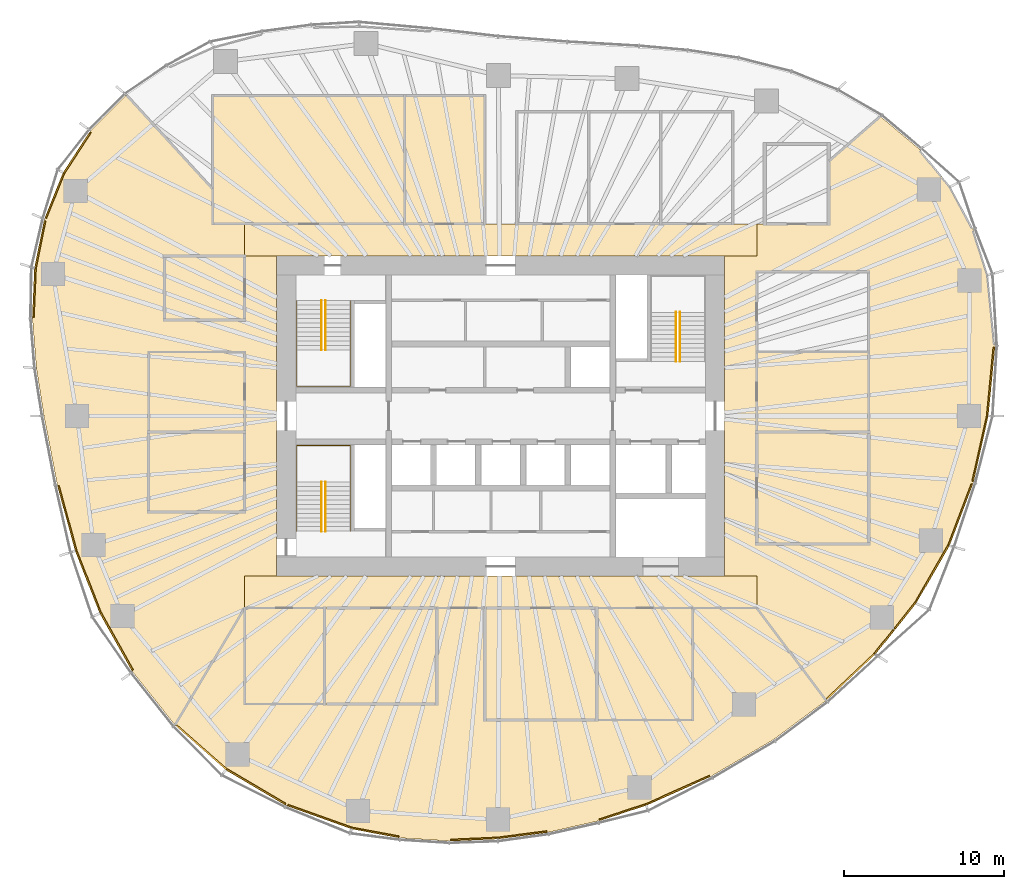
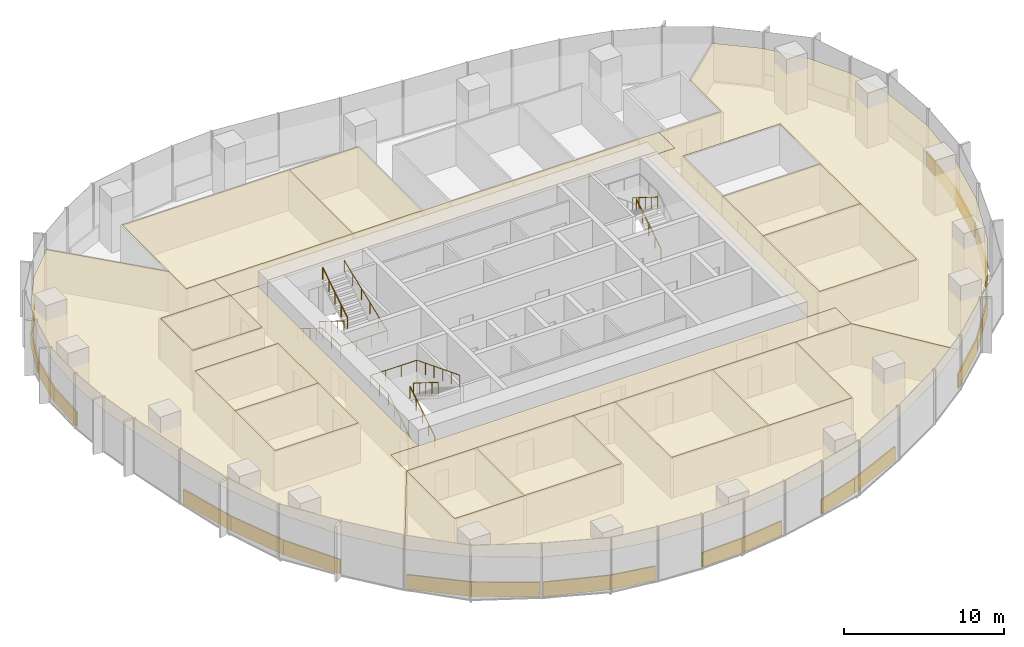
# One storey, part 17 of 18: 38 coverings, 8 railings.
"""IFC4 building model written with IfcOpenShell, lengths in metres."""

from ifc_helpers import new_model, si_unit, direction, frame, origin, origin_2d, place, context, subcontext, project, spatial, polyline, rectangle, circle, outline, extrude, material, layer, layer_set, type_object, element, save


model = new_model("IFC4")

# Units and contexts
model_context = context("Model", 3, precision=1e-05, world=origin(), true_north=direction((0.0, 1.0)))
body_context = subcontext(model_context, "Body", "Model", "MODEL_VIEW")
ifc_project = project(units=[si_unit("LENGTHUNIT", "METRE"), si_unit("AREAUNIT", "SQUARE_METRE"), si_unit("VOLUMEUNIT", "CUBIC_METRE"), si_unit("PLANEANGLEUNIT", "RADIAN"), si_unit("MASSUNIT", "GRAM", prefix="KILO")], contexts=[model_context])

# Site, building, storey
site_placement = place(None, origin())
site = spatial("IfcSite", under=ifc_project, at=site_placement, CompositionType="ELEMENT")
building_placement = place(site_placement, origin())
building = spatial("IfcBuilding", under=site, at=building_placement, Name="Ghaith Harvest Tower", CompositionType="ELEMENT")
storey_placement = place(building_placement, frame((0.0, 0.0, 121.800048828125)))
storey = spatial("IfcBuildingStorey", under=building, at=storey_placement, Name="L25", CompositionType="ELEMENT", Elevation=121.800048828125)

# Coverings
ifc_material_1 = material(Name="Mineral fibre ceiling tile", Category="gypsum")
ifc_layer_1 = layer(ifc_material_1, 0.02001953125)
ifc_layer_set_1 = layer_set([ifc_layer_1], Name="CEILING C1")
covering_type_1 = type_object("IfcCoveringType", Name="CEILING C1", PredefinedType="CEILING", material=ifc_layer_set_1)
covering_1_placement = place(storey_placement, frame((0.0, 0.0, 3.0)))
element("IfcCovering", 1, at=covering_1_placement, inside=storey, type_object=covering_type_1, Name="Ceiling L25-01", PredefinedType="CEILING", context=body_context, shape_type="SweptSolid", body=[
    extrude(outline(polyline([(-18.0, 12.0), (-6.0, 12.0), (-6.0, 20.0), (-18.0, 20.0), (-18.0, 12.0)])), origin(), (0.0, 0.0, 1.0), 0.02001953125),
])
covering_2_placement = place(storey_placement, frame((0.0, 0.0, 3.0)))
element("IfcCovering", 2, at=covering_2_placement, inside=storey, type_object=covering_type_1, Name="Ceiling L25-02", PredefinedType="CEILING", context=body_context, shape_type="SweptSolid", body=[
    extrude(outline(polyline([(-6.0, 12.0), (-1.0, 12.0), (-1.0, 20.0), (-6.0, 20.0), (-6.0, 12.0)])), origin(), (0.0, 0.0, 1.0), 0.02001953125),
])
covering_3_placement = place(storey_placement, frame((0.0, 0.0, 3.0)))
element("IfcCovering", 3, at=covering_3_placement, inside=storey, type_object=covering_type_1, Name="Ceiling L25-06", PredefinedType="CEILING", context=body_context, shape_type="SweptSolid", body=[
    extrude(outline(polyline([(-16.0, -18.0), (-11.0, -18.0), (-11.0, -12.0), (-16.0, -12.0), (-16.0, -18.0)])), origin(), (0.0, 0.0, 1.0), 0.02001953125),
])
covering_4_placement = place(storey_placement, frame((0.0, 0.0, 3.0)))
element("IfcCovering", 4, at=covering_4_placement, inside=storey, type_object=covering_type_1, Name="Ceiling L25-07", PredefinedType="CEILING", context=body_context, shape_type="SweptSolid", body=[
    extrude(outline(polyline([(-11.0, -18.0), (-4.0, -18.0), (-4.0, -12.0), (-11.0, -12.0), (-11.0, -18.0)])), origin(), (0.0, 0.0, 1.0), 0.02001953125),
])
covering_5_placement = place(storey_placement, frame((0.0, 0.0, 3.0)))
element("IfcCovering", 5, at=covering_5_placement, inside=storey, type_object=covering_type_1, Name="Ceiling L25-08", PredefinedType="CEILING", context=body_context, shape_type="SweptSolid", body=[
    extrude(outline(polyline([(-1.0, -19.0), (6.0, -19.0), (6.0, -12.0), (-1.0, -12.0), (-1.0, -19.0)])), origin(), (0.0, 0.0, 1.0), 0.02001953125),
])
covering_6_placement = place(storey_placement, frame((0.0, 0.0, 3.0)))
element("IfcCovering", 6, at=covering_6_placement, inside=storey, type_object=covering_type_1, Name="Ceiling L25-09", PredefinedType="CEILING", context=body_context, shape_type="SweptSolid", body=[
    extrude(outline(polyline([(6.0, -19.0), (12.0, -19.0), (12.0, -12.0), (6.0, -12.0), (6.0, -19.0)])), origin(), (0.0, 0.0, 1.0), 0.02001953125),
])
covering_7_placement = place(storey_placement, frame((0.0, 0.0, 3.0)))
element("IfcCovering", 7, at=covering_7_placement, inside=storey, type_object=covering_type_1, Name="Ceiling L25-10", PredefinedType="CEILING", context=body_context, shape_type="SweptSolid", body=[
    extrude(outline(polyline([(16.0, -8.0), (23.0, -8.0), (23.0, -1.0), (16.0, -1.0), (16.0, -8.0)])), origin(), (0.0, 0.0, 1.0), 0.02001953125),
])
covering_8_placement = place(storey_placement, frame((0.0, 0.0, 3.0)))
element("IfcCovering", 8, at=covering_8_placement, inside=storey, type_object=covering_type_1, Name="Ceiling L25-11", PredefinedType="CEILING", context=body_context, shape_type="SweptSolid", body=[
    extrude(outline(polyline([(16.0, -1.0), (23.0, -1.0), (23.0, 4.0), (16.0, 4.0), (16.0, -1.0)])), origin(), (0.0, 0.0, 1.0), 0.02001953125),
])
covering_9_placement = place(storey_placement, frame((0.0, 0.0, 3.0)))
element("IfcCovering", 9, at=covering_9_placement, inside=storey, type_object=covering_type_1, Name="Ceiling L25-13", PredefinedType="CEILING", context=body_context, shape_type="SweptSolid", body=[
    extrude(outline(polyline([(-22.0, -6.0), (-16.0, -6.0), (-16.0, -1.0), (-22.0, -1.0), (-22.0, -6.0)])), origin(), (0.0, 0.0, 1.0), 0.02001953125),
])
covering_10_placement = place(storey_placement, frame((0.0, 0.0, 3.0)))
element("IfcCovering", 10, at=covering_10_placement, inside=storey, type_object=covering_type_1, Name="Ceiling L25-14", PredefinedType="CEILING", context=body_context, shape_type="SweptSolid", body=[
    extrude(outline(polyline([(-22.0, -1.0), (-16.0, -1.0), (-16.0, 4.0), (-22.0, 4.0), (-22.0, -1.0)])), origin(), (0.0, 0.0, 1.0), 0.02001953125),
])
covering_11_placement = place(storey_placement, frame((0.0, 0.0, 3.0)))
element("IfcCovering", 11, at=covering_11_placement, inside=storey, type_object=covering_type_1, Name="Ceiling L25-16", PredefinedType="CEILING", context=body_context, shape_type="SweptSolid", body=[
    extrude(outline(polyline([(-21.0, 6.0), (-16.0, 6.0), (-16.0, 10.0), (-21.0, 10.0), (-21.0, 6.0)])), origin(), (0.0, 0.0, 1.0), 0.02001953125),
])
covering_12_placement = place(storey_placement, frame((0.0, 0.0, 3.0)))
element("IfcCovering", 12, at=covering_12_placement, inside=storey, type_object=covering_type_1, Name="Ceiling L25-C1", PredefinedType="CEILING", context=body_context, shape_type="SweptSolid", body=[
    extrude(outline(polyline([(-16.0, 12.0), (16.0, 12.0), (16.0, 10.0), (-16.0, 10.0), (-16.0, 12.0)])), origin(), (0.0, 0.0, 1.0), 0.02001953125),
])
covering_13_placement = place(storey_placement, frame((0.0, 0.0, 3.0)))
element("IfcCovering", 13, at=covering_13_placement, inside=storey, type_object=covering_type_1, Name="Ceiling L25-C2", PredefinedType="CEILING", context=body_context, shape_type="SweptSolid", body=[
    extrude(outline(polyline([(16.0, -10.0), (16.0, -12.0), (-16.0, -12.0), (-16.0, -10.0), (16.0, -10.0)])), origin(), (0.0, 0.0, 1.0), 0.02001953125),
])
covering_14_placement = place(storey_placement, frame((0.0, 0.0, 3.0)))
element("IfcCovering", 14, at=covering_14_placement, inside=storey, type_object=covering_type_1, Name="Ceiling L25-E1", PredefinedType="CEILING", context=body_context, shape_type="SweptSolid", body=[
    extrude(outline(polyline([(28.0888671875, 14.32568359375), (29.52294921875, 11.671875), (30.439208984375, 8.797607421875), (30.8798828125, 4.373046875), (30.458740234375, 0.0), (29.527099609375, -4.181396484375), (28.03125, -8.1015625), (25.94775390625, -11.714111328125), (23.400390625, -14.89208984375), (20.33935546875, -17.784912109375), (16.0, -12.0), (16.0, -10.0), (14.0, -10.0), (14.0, 10.0), (16.0, 10.0), (16.0, 12.0), (20.5, 12.0), (20.5, 15.912109375), (23.7275390625, 18.718017578125), (26.179443359375, 16.660888671875), (28.0888671875, 14.32568359375)]), holes=[polyline([(23.0, -8.0), (23.0, 9.0), (16.0, 9.0), (16.0, -8.0), (23.0, -8.0)])]), origin(), (0.0, 0.0, 1.0), 0.02001953125),
])
covering_15_placement = place(storey_placement, frame((0.0, 0.0, 3.0)))
element("IfcCovering", 15, at=covering_15_placement, inside=storey, type_object=covering_type_1, Name="Ceiling L25-S1", PredefinedType="CEILING", context=body_context, shape_type="SweptSolid", body=[
    extrude(outline(polyline([(17.054443359375, -20.22412109375), (13.163818359375, -22.510498046875), (9.09423828125, -24.326904296875), (6.09228515625, -25.308837890625), (2.99609375, -26.010009765625), (-0.180908203125, -26.423583984375), (-3.204833984375, -26.556884765625), (-6.2666015625, -26.366455078125), (-9.317138671875, -25.79638671875), (-13.4052734375, -24.33740234375), (-17.1728515625, -22.11181640625), (-20.35400390625, -19.31396484375), (-16.0, -12.0), (-16.0, -18.0), (-4.0, -18.0), (-4.0, -12.0), (-1.0, -12.0), (-1.0, -19.0), (12.0, -19.0), (12.0, -12.0), (16.0, -12.0), (20.33935546875, -17.784912109375), (17.054443359375, -20.22412109375)])), origin(), (0.0, 0.0, 1.0), 0.02001953125),
])
covering_16_placement = place(storey_placement, frame((0.0, 0.0, 3.0)))
element("IfcCovering", 16, at=covering_16_placement, inside=storey, type_object=covering_type_1, Name="Ceiling L25-W1", PredefinedType="CEILING", context=body_context, shape_type="SweptSolid", body=[
    extrude(outline(polyline([(-26.580078125, -8.423583984375), (-27.70947265625, -4.285888671875), (-28.541259765625, 0.0), (-29.01171875, 2.978271484375), (-29.260498046875, 6.07177734375), (-29.12646484375, 9.230712890625), (-28.506591796875, 12.29638671875), (-27.33837890625, 15.204833984375), (-25.61962890625, 17.826416015625), (-23.398193359375, 20.06103515625), (-18.0, 14.17919921875), (-18.0, 12.0), (-16.0, 12.0), (-16.0, 10.010009765625), (-21.010009765625, 10.010009765625), (-21.010009765625, 5.989990234375), (-15.989990234375, 5.989990234375), (-15.989990234375, 10.0), (-14.0, 10.0), (-14.0, -10.0), (-16.0, -10.0), (-16.0, -12.0), (-20.35400390625, -19.31396484375), (-22.99169921875, -15.997802734375), (-25.046875, -12.32861328125), (-26.580078125, -8.423583984375)]), holes=[polyline([(-16.0, -6.0), (-16.0, 4.0), (-22.0, 4.0), (-22.0, -6.0), (-16.0, -6.0)])]), origin(), (0.0, 0.0, 1.0), 0.02001953125),
])

# Railings
ifc_material_2 = material(Name="Steel, black powder-coated", Category="steel")
railing_type = type_object("IfcRailingType", Name="HANDRAIL HR1", PredefinedType="HANDRAIL", material=ifc_material_2)
railing_1_placement = place(storey_placement, frame((-11.199951171875, 7.199951171875, 0.175048828125)))
element("IfcRailing", 17, at=railing_1_placement, inside=storey, type_object=railing_type, Name="Handrail HR1 stair ST1 L25 flight 1 inner", PredefinedType="HANDRAIL", context=body_context, shape_type="SweptSolid", body=[
    extrude(circle(Radius=0.02392578125, at=origin_2d()), frame((0.0, 0.0, 0.8759765625), z_axis=(0.0, -0.848009633417, 0.529980812513), x_axis=(1.0, 0.0, 0.0)), (0.0, 0.0, 1.0), 3.6318359375),
    extrude(circle(Radius=0.02099609375, at=origin_2d()), origin(), (0.0, 0.0, 1.0), 0.851806640625),
    extrude(circle(Radius=0.02099609375, at=origin_2d()), frame((0.0, -0.77001953125, 0.481201171875)), (0.0, 0.0, 1.0), 0.851806640625),
    extrude(circle(Radius=0.02099609375, at=origin_2d()), frame((0.0, -1.5400390625, 0.96240234375)), (0.0, 0.0, 1.0), 0.851806640625),
    extrude(circle(Radius=0.02099609375, at=origin_2d()), frame((0.0, -2.309814453125, 1.443603515625)), (0.0, 0.0, 1.0), 0.851806640625),
    extrude(circle(Radius=0.02099609375, at=origin_2d()), frame((0.0, -3.079833984375, 1.9248046875)), (0.0, 0.0, 1.0), 0.851806640625),
])
railing_2_placement = place(storey_placement, frame((-10.949951171875, 4.1201171875, 2.27490234375)))
element("IfcRailing", 18, at=railing_2_placement, inside=storey, type_object=railing_type, Name="Handrail HR1 stair ST1 L25 flight 2 inner", PredefinedType="HANDRAIL", context=body_context, shape_type="SweptSolid", body=[
    extrude(circle(Radius=0.02392578125, at=origin_2d()), frame((0.0, 0.0, 0.8759765625), z_axis=(0.0, 0.847979421464, 0.530029150871), x_axis=(-1.0, 0.0, 0.0)), (0.0, 0.0, 1.0), 3.632080078125),
    extrude(circle(Radius=0.02099609375, at=origin_2d()), origin(), (0.0, 0.0, 1.0), 0.851806640625),
    extrude(circle(Radius=0.02099609375, at=origin_2d()), frame((0.0, 0.77001953125, 0.481201171875)), (0.0, 0.0, 1.0), 0.851806640625),
    extrude(circle(Radius=0.02099609375, at=origin_2d()), frame((0.0, 1.5400390625, 0.96240234375)), (0.0, 0.0, 1.0), 0.851806640625),
    extrude(circle(Radius=0.02099609375, at=origin_2d()), frame((0.0, 2.309814453125, 1.44384765625)), (0.0, 0.0, 1.0), 0.851806640625),
    extrude(circle(Radius=0.02099609375, at=origin_2d()), frame((0.0, 3.079833984375, 1.925048828125)), (0.0, 0.0, 1.0), 0.851806640625),
])
railing_3_placement = place(storey_placement, frame((-12.75, 7.199951171875, 0.175048828125)))
element("IfcRailing", 19, at=railing_3_placement, inside=storey, type_object=railing_type, Name="Handrail HR1 stair ST1 L25 wall side", PredefinedType="HANDRAIL", context=body_context, shape_type="SweptSolid", body=[
    extrude(circle(Radius=0.02392578125, at=origin_2d()), frame((0.0, 0.0, 0.8759765625), z_axis=(0.0, -0.848009633417, 0.529980812513), x_axis=(1.0, 0.0, 0.0)), (0.0, 0.0, 1.0), 3.6318359375),
    extrude(circle(Radius=0.02392578125, at=origin_2d()), frame((0.0, -3.079833984375, 2.80078125), z_axis=(0.0, -1.0, 0.0), x_axis=(1.0, 0.0, 0.0)), (0.0, 0.0, 1.0), 2.27001953125),
    extrude(circle(Radius=0.02392578125, at=origin_2d()), frame((0.0, -5.349853515625, 2.80078125), z_axis=(1.0, 0.0, 0.0), x_axis=(0.0, 1.0, 0.0)), (0.0, 0.0, 1.0), 3.35009765625),
    extrude(circle(Radius=0.02392578125, at=origin_2d()), frame((3.35009765625, -5.349853515625, 2.80078125), z_axis=(0.0, 0.930848013298, 0.36540659017), x_axis=(-1.0, 0.0, 0.0)), (0.0, 0.0, 1.0), 5.747314453125),
    extrude(circle(Radius=0.02099609375, at=origin_2d()), origin(), (0.0, 0.0, 1.0), 0.851806640625),
    extrude(circle(Radius=0.02099609375, at=origin_2d()), frame((0.0, -0.77001953125, 0.481201171875)), (0.0, 0.0, 1.0), 0.851806640625),
    extrude(circle(Radius=0.02099609375, at=origin_2d()), frame((0.0, -1.5400390625, 0.96240234375)), (0.0, 0.0, 1.0), 0.851806640625),
    extrude(circle(Radius=0.02099609375, at=origin_2d()), frame((0.0, -2.309814453125, 1.443603515625)), (0.0, 0.0, 1.0), 0.851806640625),
    extrude(circle(Radius=0.02099609375, at=origin_2d()), frame((0.0, -3.079833984375, 1.9248046875)), (0.0, 0.0, 1.0), 0.851806640625),
    extrude(circle(Radius=0.02099609375, at=origin_2d()), frame((0.0, -4.21484375, 1.9248046875)), (0.0, 0.0, 1.0), 0.851806640625),
    extrude(circle(Radius=0.02099609375, at=origin_2d()), frame((0.0, -5.349853515625, 1.9248046875)), (0.0, 0.0, 1.0), 0.851806640625),
    extrude(circle(Radius=0.02099609375, at=origin_2d()), frame((1.11669921875, -5.349853515625, 1.9248046875)), (0.0, 0.0, 1.0), 0.851806640625),
    extrude(circle(Radius=0.02099609375, at=origin_2d()), frame((2.2333984375, -5.349853515625, 1.9248046875)), (0.0, 0.0, 1.0), 0.851806640625),
    extrude(circle(Radius=0.02099609375, at=origin_2d()), frame((3.35009765625, -5.349853515625, 1.9248046875)), (0.0, 0.0, 1.0), 0.851806640625),
    extrude(circle(Radius=0.02099609375, at=origin_2d()), frame((3.35009765625, -4.27978515625, 2.3447265625)), (0.0, 0.0, 1.0), 0.851806640625),
    extrude(circle(Radius=0.02099609375, at=origin_2d()), frame((3.35009765625, -3.2099609375, 2.764892578125)), (0.0, 0.0, 1.0), 0.851806640625),
    extrude(circle(Radius=0.02099609375, at=origin_2d()), frame((3.35009765625, -2.139892578125, 3.184814453125)), (0.0, 0.0, 1.0), 0.851806640625),
    extrude(circle(Radius=0.02099609375, at=origin_2d()), frame((3.35009765625, -1.070068359375, 3.60498046875)), (0.0, 0.0, 1.0), 0.851806640625),
    extrude(circle(Radius=0.02099609375, at=origin_2d()), frame((3.35009765625, 0.0, 4.02490234375)), (0.0, 0.0, 1.0), 0.851806640625),
])
railing_4_placement = place(storey_placement, frame((-11.199951171875, -7.199951171875, 0.175048828125)))
element("IfcRailing", 20, at=railing_4_placement, inside=storey, type_object=railing_type, Name="Handrail HR1 stair ST3 L25 flight 1 inner", PredefinedType="HANDRAIL", context=body_context, shape_type="SweptSolid", body=[
    extrude(circle(Radius=0.02392578125, at=origin_2d()), frame((0.0, 0.0, 0.8759765625), z_axis=(0.0, 0.848009633417, 0.529980812513), x_axis=(-1.0, 0.0, 0.0)), (0.0, 0.0, 1.0), 3.6318359375),
    extrude(circle(Radius=0.02099609375, at=origin_2d()), origin(), (0.0, 0.0, 1.0), 0.851806640625),
    extrude(circle(Radius=0.02099609375, at=origin_2d()), frame((0.0, 0.77001953125, 0.481201171875)), (0.0, 0.0, 1.0), 0.851806640625),
    extrude(circle(Radius=0.02099609375, at=origin_2d()), frame((0.0, 1.5400390625, 0.96240234375)), (0.0, 0.0, 1.0), 0.851806640625),
    extrude(circle(Radius=0.02099609375, at=origin_2d()), frame((0.0, 2.309814453125, 1.443603515625)), (0.0, 0.0, 1.0), 0.851806640625),
    extrude(circle(Radius=0.02099609375, at=origin_2d()), frame((0.0, 3.079833984375, 1.9248046875)), (0.0, 0.0, 1.0), 0.851806640625),
])
railing_5_placement = place(storey_placement, frame((-10.949951171875, -4.1201171875, 2.27490234375)))
element("IfcRailing", 21, at=railing_5_placement, inside=storey, type_object=railing_type, Name="Handrail HR1 stair ST3 L25 flight 2 inner", PredefinedType="HANDRAIL", context=body_context, shape_type="SweptSolid", body=[
    extrude(circle(Radius=0.02392578125, at=origin_2d()), frame((0.0, 0.0, 0.8759765625), z_axis=(0.0, -0.847979421464, 0.530029150871), x_axis=(1.0, 0.0, 0.0)), (0.0, 0.0, 1.0), 3.632080078125),
    extrude(circle(Radius=0.02099609375, at=origin_2d()), origin(), (0.0, 0.0, 1.0), 0.851806640625),
    extrude(circle(Radius=0.02099609375, at=origin_2d()), frame((0.0, -0.77001953125, 0.481201171875)), (0.0, 0.0, 1.0), 0.851806640625),
    extrude(circle(Radius=0.02099609375, at=origin_2d()), frame((0.0, -1.5400390625, 0.96240234375)), (0.0, 0.0, 1.0), 0.851806640625),
    extrude(circle(Radius=0.02099609375, at=origin_2d()), frame((0.0, -2.309814453125, 1.44384765625)), (0.0, 0.0, 1.0), 0.851806640625),
    extrude(circle(Radius=0.02099609375, at=origin_2d()), frame((0.0, -3.079833984375, 1.925048828125)), (0.0, 0.0, 1.0), 0.851806640625),
])
railing_6_placement = place(storey_placement, frame((-12.75, -7.199951171875, 0.175048828125)))
element("IfcRailing", 22, at=railing_6_placement, inside=storey, type_object=railing_type, Name="Handrail HR1 stair ST3 L25 wall side", PredefinedType="HANDRAIL", context=body_context, shape_type="SweptSolid", body=[
    extrude(circle(Radius=0.02392578125, at=origin_2d()), frame((0.0, 0.0, 0.8759765625), z_axis=(0.0, 0.848009633417, 0.529980812513), x_axis=(-1.0, 0.0, 0.0)), (0.0, 0.0, 1.0), 3.6318359375),
    extrude(circle(Radius=0.02392578125, at=origin_2d()), frame((0.0, 3.079833984375, 2.80078125), z_axis=(0.0, 1.0, 0.0), x_axis=(-1.0, 0.0, 0.0)), (0.0, 0.0, 1.0), 2.27001953125),
    extrude(circle(Radius=0.02392578125, at=origin_2d()), frame((0.0, 5.349853515625, 2.80078125), z_axis=(1.0, 0.0, 0.0), x_axis=(0.0, 1.0, 0.0)), (0.0, 0.0, 1.0), 3.35009765625),
    extrude(circle(Radius=0.02392578125, at=origin_2d()), frame((3.35009765625, 5.349853515625, 2.80078125), z_axis=(0.0, -0.930848013298, 0.36540659017), x_axis=(1.0, 0.0, 0.0)), (0.0, 0.0, 1.0), 5.747314453125),
    extrude(circle(Radius=0.02099609375, at=origin_2d()), origin(), (0.0, 0.0, 1.0), 0.851806640625),
    extrude(circle(Radius=0.02099609375, at=origin_2d()), frame((0.0, 0.77001953125, 0.481201171875)), (0.0, 0.0, 1.0), 0.851806640625),
    extrude(circle(Radius=0.02099609375, at=origin_2d()), frame((0.0, 1.5400390625, 0.96240234375)), (0.0, 0.0, 1.0), 0.851806640625),
    extrude(circle(Radius=0.02099609375, at=origin_2d()), frame((0.0, 2.309814453125, 1.443603515625)), (0.0, 0.0, 1.0), 0.851806640625),
    extrude(circle(Radius=0.02099609375, at=origin_2d()), frame((0.0, 3.079833984375, 1.9248046875)), (0.0, 0.0, 1.0), 0.851806640625),
    extrude(circle(Radius=0.02099609375, at=origin_2d()), frame((0.0, 4.21484375, 1.9248046875)), (0.0, 0.0, 1.0), 0.851806640625),
    extrude(circle(Radius=0.02099609375, at=origin_2d()), frame((0.0, 5.349853515625, 1.9248046875)), (0.0, 0.0, 1.0), 0.851806640625),
    extrude(circle(Radius=0.02099609375, at=origin_2d()), frame((1.11669921875, 5.349853515625, 1.9248046875)), (0.0, 0.0, 1.0), 0.851806640625),
    extrude(circle(Radius=0.02099609375, at=origin_2d()), frame((2.2333984375, 5.349853515625, 1.9248046875)), (0.0, 0.0, 1.0), 0.851806640625),
    extrude(circle(Radius=0.02099609375, at=origin_2d()), frame((3.35009765625, 5.349853515625, 1.9248046875)), (0.0, 0.0, 1.0), 0.851806640625),
    extrude(circle(Radius=0.02099609375, at=origin_2d()), frame((3.35009765625, 4.27978515625, 2.3447265625)), (0.0, 0.0, 1.0), 0.851806640625),
    extrude(circle(Radius=0.02099609375, at=origin_2d()), frame((3.35009765625, 3.2099609375, 2.764892578125)), (0.0, 0.0, 1.0), 0.851806640625),
    extrude(circle(Radius=0.02099609375, at=origin_2d()), frame((3.35009765625, 2.139892578125, 3.184814453125)), (0.0, 0.0, 1.0), 0.851806640625),
    extrude(circle(Radius=0.02099609375, at=origin_2d()), frame((3.35009765625, 1.070068359375, 3.60498046875)), (0.0, 0.0, 1.0), 0.851806640625),
    extrude(circle(Radius=0.02099609375, at=origin_2d()), frame((3.35009765625, 0.0, 4.02490234375)), (0.0, 0.0, 1.0), 0.851806640625),
])
railing_7_placement = place(storey_placement, frame((11.199951171875, 3.39990234375, 0.175048828125)))
element("IfcRailing", 23, at=railing_7_placement, inside=storey, type_object=railing_type, Name="Handrail HR1 stair ST2 L25 flight 1 inner", PredefinedType="HANDRAIL", context=body_context, shape_type="SweptSolid", body=[
    extrude(circle(Radius=0.02392578125, at=origin_2d()), frame((0.0, 0.0, 0.8759765625), z_axis=(0.0, 0.848028513186, 0.529950602248), x_axis=(-1.0, 0.0, 0.0)), (0.0, 0.0, 1.0), 3.632080078125),
    extrude(circle(Radius=0.02099609375, at=origin_2d()), origin(), (0.0, 0.0, 1.0), 0.851806640625),
    extrude(circle(Radius=0.02099609375, at=origin_2d()), frame((0.0, 0.77001953125, 0.481201171875)), (0.0, 0.0, 1.0), 0.851806640625),
    extrude(circle(Radius=0.02099609375, at=origin_2d()), frame((0.0, 1.5400390625, 0.96240234375)), (0.0, 0.0, 1.0), 0.851806640625),
    extrude(circle(Radius=0.02099609375, at=origin_2d()), frame((0.0, 2.31005859375, 1.443603515625)), (0.0, 0.0, 1.0), 0.851806640625),
    extrude(circle(Radius=0.02099609375, at=origin_2d()), frame((0.0, 3.080078125, 1.9248046875)), (0.0, 0.0, 1.0), 0.851806640625),
])
railing_8_placement = place(storey_placement, frame((10.949951171875, 6.47998046875, 2.27490234375)))
element("IfcRailing", 24, at=railing_8_placement, inside=storey, type_object=railing_type, Name="Handrail HR1 stair ST2 L25 flight 2 inner", PredefinedType="HANDRAIL", context=body_context, shape_type="SweptSolid", body=[
    extrude(circle(Radius=0.02392578125, at=origin_2d()), frame((0.0, 0.0, 0.8759765625), z_axis=(0.0, -0.847998304005, 0.529998940003), x_axis=(1.0, 0.0, 0.0)), (0.0, 0.0, 1.0), 3.632080078125),
    extrude(circle(Radius=0.02099609375, at=origin_2d()), origin(), (0.0, 0.0, 1.0), 0.851806640625),
    extrude(circle(Radius=0.02099609375, at=origin_2d()), frame((0.0, -0.77001953125, 0.481201171875)), (0.0, 0.0, 1.0), 0.851806640625),
    extrude(circle(Radius=0.02099609375, at=origin_2d()), frame((0.0, -1.5400390625, 0.96240234375)), (0.0, 0.0, 1.0), 0.851806640625),
    extrude(circle(Radius=0.02099609375, at=origin_2d()), frame((0.0, -2.31005859375, 1.44384765625)), (0.0, 0.0, 1.0), 0.851806640625),
    extrude(circle(Radius=0.02099609375, at=origin_2d()), frame((0.0, -3.080078125, 1.925048828125)), (0.0, 0.0, 1.0), 0.851806640625),
])

# Coverings
ifc_material_3 = material(Name="Insulated aluminium spandrel panel on steel framing", Category="steel")
ifc_layer_2 = layer(ifc_material_3, 0.10009765625)
ifc_layer_set_2 = layer_set([ifc_layer_2], Name="SLAB EDGE UPSTAND 1100x100")
covering_type_2 = type_object("IfcCoveringType", Name="SLAB EDGE UPSTAND 1100x100", PredefinedType="CLADDING", material=ifc_layer_set_2)
covering_17_placement = place(storey_placement, frame((30.61474609375, 2.1416015625, 0.0), z_axis=(0.0, 0.0, 1.0), x_axis=(0.095861332319, 0.99539469808, 0.0)))
element("IfcCovering", 25, at=covering_17_placement, inside=storey, type_object=covering_type_2, Name="Slab edge upstand 1 bay 01 L25", PredefinedType="CLADDING", context=body_context, shape_type="SweptSolid", body=[
    extrude(rectangle(XDim=4.293212890625, YDim=0.10009765625, at=origin_2d()), origin(), (0.0, 0.0, 1.0), 1.10009765625),
])
covering_18_placement = place(storey_placement, frame((-26.464599609375, 16.4462890625, 0.0), z_axis=(0.0, 0.0, 1.0), x_axis=(-0.548312211554, -0.836273710373, 0.0)))
element("IfcCovering", 26, at=covering_18_placement, inside=storey, type_object=covering_type_2, Name="Slab edge upstand 1 bay 09 L25", PredefinedType="CLADDING", context=body_context, shape_type="SweptSolid", body=[
    extrude(rectangle(XDim=3.03466796875, YDim=0.10009765625, at=origin_2d()), origin(), (0.0, 0.0, 1.0), 1.10009765625),
])
covering_19_placement = place(storey_placement, frame((-27.857421875, 13.7783203125, 0.0), z_axis=(0.0, 0.0, 1.0), x_axis=(-0.372732078847, -0.927939005215, 0.0)))
element("IfcCovering", 27, at=covering_19_placement, inside=storey, type_object=covering_type_2, Name="Slab edge upstand 2 bay 09 L25", PredefinedType="CLADDING", context=body_context, shape_type="SweptSolid", body=[
    extrude(rectangle(XDim=3.034423828125, YDim=0.10009765625, at=origin_2d()), origin(), (0.0, 0.0, 1.0), 1.10009765625),
])
covering_20_placement = place(storey_placement, frame((-28.777587890625, 10.70458984375, 0.0), z_axis=(0.0, 0.0, 1.0), x_axis=(-0.198182542943, -0.980165128778, 0.0)))
element("IfcCovering", 28, at=covering_20_placement, inside=storey, type_object=covering_type_2, Name="Slab edge upstand 3 bay 09 L25", PredefinedType="CLADDING", context=body_context, shape_type="SweptSolid", body=[
    extrude(rectangle(XDim=3.027587890625, YDim=0.10009765625, at=origin_2d()), origin(), (0.0, 0.0, 1.0), 1.10009765625),
])
covering_21_placement = place(storey_placement, frame((-29.141357421875, 7.69921875, 0.0), z_axis=(0.0, 0.0, 1.0), x_axis=(-0.042372799788, -0.9991018696, 0.0)))
element("IfcCovering", 29, at=covering_21_placement, inside=storey, type_object=covering_type_2, Name="Slab edge upstand 1 bay 10 L25", PredefinedType="CLADDING", context=body_context, shape_type="SweptSolid", body=[
    extrude(rectangle(XDim=3.061767578125, YDim=0.10009765625, at=origin_2d()), origin(), (0.0, 0.0, 1.0), 1.10009765625),
])
covering_22_placement = place(storey_placement, frame((-27.08349609375, -6.389892578125, 0.0), z_axis=(0.0, 0.0, 1.0), x_axis=(0.263287721652, -0.964717355305, 0.0)))
element("IfcCovering", 30, at=covering_22_placement, inside=storey, type_object=covering_type_2, Name="Slab edge upstand 2 bay 11 L25", PredefinedType="CLADDING", context=body_context, shape_type="SweptSolid", body=[
    extrude(rectangle(XDim=4.189208984375, YDim=0.10009765625, at=origin_2d()), origin(), (0.0, 0.0, 1.0), 1.10009765625),
])
covering_23_placement = place(storey_placement, frame((-25.76708984375, -10.35791015625, 0.0), z_axis=(0.0, 0.0, 1.0), x_axis=(0.365514970008, -0.930805461254, 0.0)))
element("IfcCovering", 31, at=covering_23_placement, inside=storey, type_object=covering_type_2, Name="Slab edge upstand 1 bay 12 L25", PredefinedType="CLADDING", context=body_context, shape_type="SweptSolid", body=[
    extrude(rectangle(XDim=4.195068359375, YDim=0.10009765625, at=origin_2d()), origin(), (0.0, 0.0, 1.0), 1.10009765625),
])
covering_24_placement = place(storey_placement, frame((-24.0, -14.09521484375, 0.0), z_axis=(0.0, 0.0, 1.0), x_axis=(0.488683758288, -0.872460993045, 0.0)))
element("IfcCovering", 32, at=covering_24_placement, inside=storey, type_object=covering_type_2, Name="Slab edge upstand 2 bay 12 L25", PredefinedType="CLADDING", context=body_context, shape_type="SweptSolid", body=[
    extrude(rectangle(XDim=4.10546875, YDim=0.10009765625, at=origin_2d()), origin(), (0.0, 0.0, 1.0), 1.10009765625),
])
covering_25_placement = place(storey_placement, frame((-18.69287109375, -20.70849609375, 0.0), z_axis=(0.0, 0.0, 1.0), x_axis=(0.75089221411, -0.660424774511, 0.0)))
element("IfcCovering", 33, at=covering_25_placement, inside=storey, type_object=covering_type_2, Name="Slab edge upstand 2 bay 13 L25", PredefinedType="CLADDING", context=body_context, shape_type="SweptSolid", body=[
    extrude(rectangle(XDim=4.136474609375, YDim=0.10009765625, at=origin_2d()), origin(), (0.0, 0.0, 1.0), 1.10009765625),
])
covering_26_placement = place(storey_placement, frame((-15.306640625, -23.15625, 0.0), z_axis=(0.0, 0.0, 1.0), x_axis=(0.861020519069, -0.508570217121, 0.0)))
element("IfcCovering", 34, at=covering_26_placement, inside=storey, type_object=covering_type_2, Name="Slab edge upstand 1 bay 14 L25", PredefinedType="CLADDING", context=body_context, shape_type="SweptSolid", body=[
    extrude(rectangle(XDim=4.27587890625, YDim=0.10009765625, at=origin_2d()), origin(), (0.0, 0.0, 1.0), 1.10009765625),
])
covering_27_placement = place(storey_placement, frame((-11.29736328125, -25.03662109375, 0.0), z_axis=(0.0, 0.0, 1.0), x_axis=(0.941807015649, -0.336154049915, 0.0)))
element("IfcCovering", 35, at=covering_27_placement, inside=storey, type_object=covering_type_2, Name="Slab edge upstand 2 bay 14 L25", PredefinedType="CLADDING", context=body_context, shape_type="SweptSolid", body=[
    extrude(rectangle(XDim=4.24072265625, YDim=0.10009765625, at=origin_2d()), origin(), (0.0, 0.0, 1.0), 1.10009765625),
])
covering_28_placement = place(storey_placement, frame((-7.831787109375, -26.023193359375, 0.0), z_axis=(0.0, 0.0, 1.0), x_axis=(0.982990071164, -0.183658705191, 0.0)))
element("IfcCovering", 36, at=covering_28_placement, inside=storey, type_object=covering_type_2, Name="Slab edge upstand 1 bay 15 L25", PredefinedType="CLADDING", context=body_context, shape_type="SweptSolid", body=[
    extrude(rectangle(XDim=3.003173828125, YDim=0.10009765625, at=origin_2d()), origin(), (0.0, 0.0, 1.0), 1.10009765625),
])
covering_29_placement = place(storey_placement, frame((-1.64501953125, -26.43798828125, 0.0), z_axis=(0.0, 0.0, 1.0), x_axis=(0.999029547734, 0.044045008275, 0.0)))
element("IfcCovering", 37, at=covering_29_placement, inside=storey, type_object=covering_type_2, Name="Slab edge upstand 3 bay 15 L25", PredefinedType="CLADDING", context=body_context, shape_type="SweptSolid", body=[
    extrude(rectangle(XDim=2.927001953125, YDim=0.10009765625, at=origin_2d()), origin(), (0.0, 0.0, 1.0), 1.10009765625),
])
covering_30_placement = place(storey_placement, frame((1.3515625, -26.173583984375, 0.0), z_axis=(0.0, 0.0, 1.0), x_axis=(0.991633707242, 0.129083657611, 0.0)))
element("IfcCovering", 38, at=covering_30_placement, inside=storey, type_object=covering_type_2, Name="Slab edge upstand 1 bay 16 L25", PredefinedType="CLADDING", context=body_context, shape_type="SweptSolid", body=[
    extrude(rectangle(XDim=3.103759765625, YDim=0.10009765625, at=origin_2d()), origin(), (0.0, 0.0, 1.0), 1.10009765625),
])
covering_31_placement = place(storey_placement, frame((7.625244140625, -24.754638671875, 0.0), z_axis=(0.0, 0.0, 1.0), x_axis=(0.950441392134, 0.310903779518, 0.0)))
element("IfcCovering", 39, at=covering_31_placement, inside=storey, type_object=covering_type_2, Name="Slab edge upstand 3 bay 16 L25", PredefinedType="CLADDING", context=body_context, shape_type="SweptSolid", body=[
    extrude(rectangle(XDim=3.05859375, YDim=0.10009765625, at=origin_2d()), origin(), (0.0, 0.0, 1.0), 1.10009765625),
])
covering_32_placement = place(storey_placement, frame((11.06298828125, -23.393310546875, 0.0), z_axis=(0.0, 0.0, 1.0), x_axis=(0.913170343632, 0.407578119519, 0.0)))
element("IfcCovering", 40, at=covering_32_placement, inside=storey, type_object=covering_type_2, Name="Slab edge upstand 1 bay 17 L25", PredefinedType="CLADDING", context=body_context, shape_type="SweptSolid", body=[
    extrude(rectangle(XDim=4.356689453125, YDim=0.10009765625, at=origin_2d()), origin(), (0.0, 0.0, 1.0), 1.10009765625),
])
covering_33_placement = place(storey_placement, frame((21.871826171875, -16.267822265625, 0.0), z_axis=(0.0, 0.0, 1.0), x_axis=(0.72680962062, 0.686838973395, 0.0)))
element("IfcCovering", 41, at=covering_33_placement, inside=storey, type_object=covering_type_2, Name="Slab edge upstand 2 bay 18 L25", PredefinedType="CLADDING", context=body_context, shape_type="SweptSolid", body=[
    extrude(rectangle(XDim=4.111572265625, YDim=0.10009765625, at=origin_2d()), origin(), (0.0, 0.0, 1.0), 1.10009765625),
])
covering_34_placement = place(storey_placement, frame((23.95263671875, -14.123046875, 0.0), z_axis=(0.0, 0.0, 1.0), x_axis=(0.625468377377, 0.780249517079, 0.0)))
element("IfcCovering", 42, at=covering_34_placement, inside=storey, type_object=covering_type_2, Name="Slab edge upstand 1 bay 19 L25", PredefinedType="CLADDING", context=body_context, shape_type="SweptSolid", body=[
    extrude(rectangle(XDim=1.89111328125, YDim=0.10009765625, at=origin_2d()), origin(), (0.0, 0.0, 1.0), 1.10009765625),
])
covering_35_placement = place(storey_placement, frame((25.266845703125, -12.483642578125, 0.0), z_axis=(0.0, 0.0, 1.0), x_axis=(0.625468377377, 0.780249517079, 0.0)))
element("IfcCovering", 43, at=covering_35_placement, inside=storey, type_object=covering_type_2, Name="Slab edge upstand 1 bay 19 L25", PredefinedType="CLADDING", context=body_context, shape_type="SweptSolid", body=[
    extrude(rectangle(XDim=2.052490234375, YDim=0.10009765625, at=origin_2d()), origin(), (0.0, 0.0, 1.0), 1.10009765625),
])
covering_36_placement = place(storey_placement, frame((26.9462890625, -9.8828125, 0.0), z_axis=(0.0, 0.0, 1.0), x_axis=(0.499596169173, 0.866258430117, 0.0)))
element("IfcCovering", 44, at=covering_36_placement, inside=storey, type_object=covering_type_2, Name="Slab edge upstand 2 bay 19 L25", PredefinedType="CLADDING", context=body_context, shape_type="SweptSolid", body=[
    extrude(rectangle(XDim=4.170166015625, YDim=0.10009765625, at=origin_2d()), origin(), (0.0, 0.0, 1.0), 1.10009765625),
])
covering_37_placement = place(storey_placement, frame((28.714599609375, -6.17041015625, 0.0), z_axis=(0.0, 0.0, 1.0), x_axis=(0.356503850378, 0.934293853488, 0.0)))
element("IfcCovering", 45, at=covering_37_placement, inside=storey, type_object=covering_type_2, Name="Slab edge upstand 1 bay 20 L25", PredefinedType="CLADDING", context=body_context, shape_type="SweptSolid", body=[
    extrude(rectangle(XDim=4.095947265625, YDim=0.10009765625, at=origin_2d()), origin(), (0.0, 0.0, 1.0), 1.10009765625),
])
covering_38_placement = place(storey_placement, frame((29.955078125, -2.031005859375, 0.0), z_axis=(0.0, 0.0, 1.0), x_axis=(0.217466241983, 0.976067842723, 0.0)))
element("IfcCovering", 46, at=covering_38_placement, inside=storey, type_object=covering_type_2, Name="Slab edge upstand 2 bay 20 L25", PredefinedType="CLADDING", context=body_context, shape_type="SweptSolid", body=[
    extrude(rectangle(XDim=4.183837890625, YDim=0.10009765625, at=origin_2d()), origin(), (0.0, 0.0, 1.0), 1.10009765625),
])

save(model, "model.ifc")
